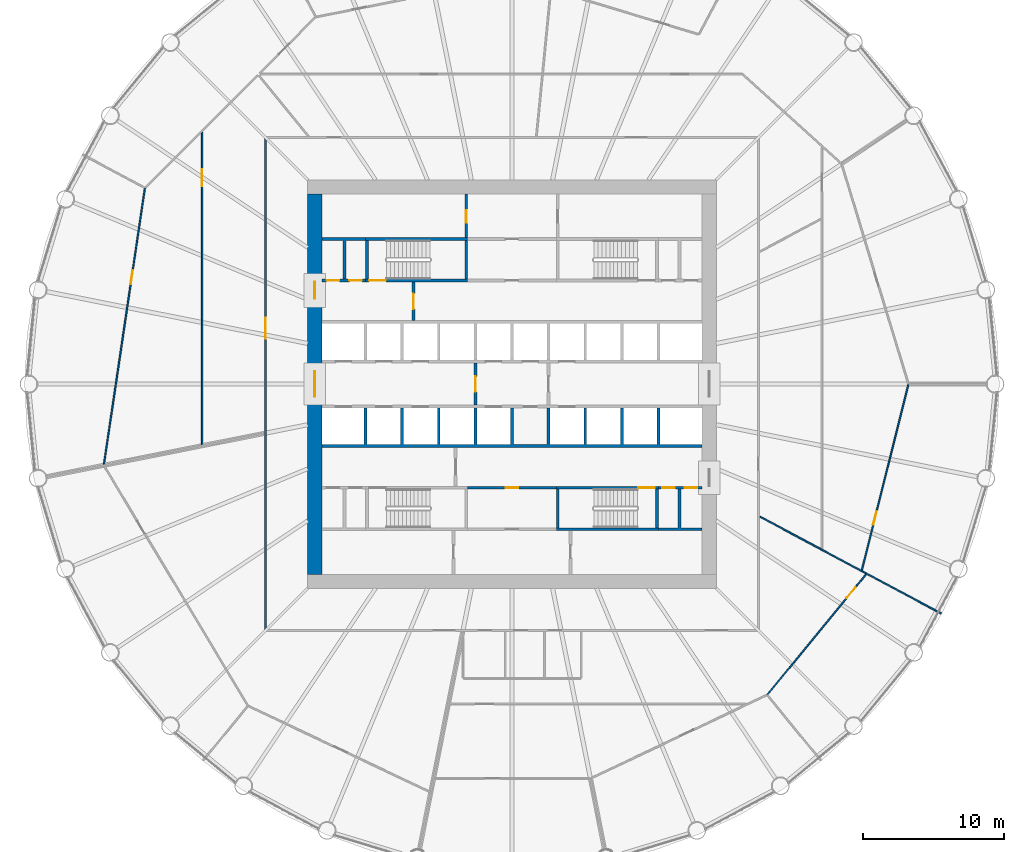
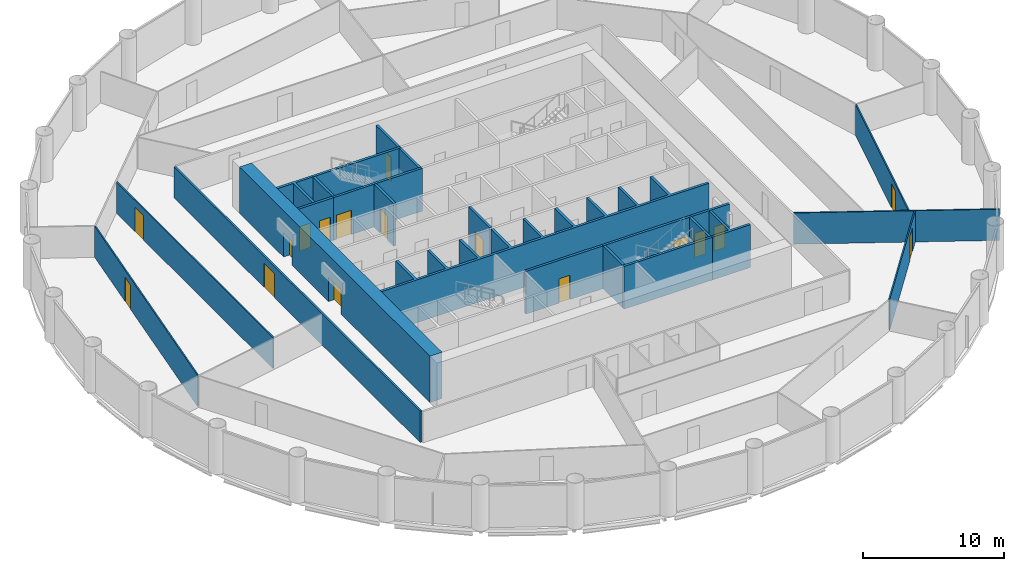
# One storey, part 5 of 8: 24 walls, 17 doors, 17 openings.
"""IFC4 building model written with IfcOpenShell, lengths in metres."""

from ifc_helpers import new_model, si_unit, direction, frame, frame_2d, origin, place, context, subcontext, project, spatial, polyline, rectangle, outline, extrude, material, layer, layer_set, type_object, element, fill, save


model = new_model("IFC4")

# Units and contexts
model_context = context("Model", 3, precision=1e-05, world=origin(), true_north=direction((0.0, 1.0)))
body_context = subcontext(model_context, "Body", "Model", "MODEL_VIEW")
ifc_project = project(units=[si_unit("LENGTHUNIT", "METRE"), si_unit("AREAUNIT", "SQUARE_METRE"), si_unit("VOLUMEUNIT", "CUBIC_METRE"), si_unit("PLANEANGLEUNIT", "RADIAN"), si_unit("MASSUNIT", "GRAM", prefix="KILO")], contexts=[model_context])

# Site, building, storey
site_placement = place(None, origin())
site = spatial("IfcSite", under=ifc_project, at=site_placement, CompositionType="ELEMENT")
building_placement = place(site_placement, origin())
building = spatial("IfcBuilding", under=site, at=building_placement, Name="Corvane Civic Tower", CompositionType="ELEMENT")
storey_placement = place(building_placement, frame((0.0, 0.0, 126.5)))
storey = spatial("IfcBuildingStorey", under=building, at=storey_placement, Name="L29", CompositionType="ELEMENT", Elevation=126.5)

# Wall, openings, doors
ifc_material_1 = material(Name="Concrete C70/85", Category="concrete")
ifc_layer_1 = layer(ifc_material_1, 1.0)
ifc_layer_set_1 = layer_set([ifc_layer_1], Name="Concrete C70/85")
wall_type_1 = type_object("IfcWallType", Name="CORE WALL 1000 C70/85", PredefinedType="SHEAR", material=ifc_layer_set_1)
wall_1_placement = place(storey_placement, frame((-14.0, -13.5, 0.0), z_axis=(0.0, 0.0, 1.0), x_axis=(0.0, 1.0, 0.0)))
wall_1 = element("IfcWall", 1, at=wall_1_placement, inside=storey, type_object=wall_type_1, Name="W-L29-core-W", PredefinedType="SHEAR", context=body_context, shape_type="SweptSolid", body=[
    extrude(rectangle(XDim=27.0, YDim=1.0, at=frame_2d((13.5, 0.0))), origin(), (0.0, 0.0, 1.0), 4.0),
])
opening_1_placement = place(wall_1_placement, frame((12.60009765625, 0.0, 0.0)))
opening_1 = element("IfcOpeningElement", 2, at=opening_1_placement, cuts=wall_1, Name="Opening L29.C26", PredefinedType="OPENING", context=body_context, shape_type="SweptSolid", body=[
    extrude(rectangle(XDim=1.800048828125, YDim=2.10009765625, at=frame_2d((0.89990234375, 1.050048828125))), frame((0.0, 0.510009765625, 0.0), z_axis=(0.0, -1.0, 0.0), x_axis=(1.0, 0.0, 0.0)), (0.0, 0.0, 1.0), 1.02001953125),
])
opening_2_placement = place(wall_1_placement, frame((19.550048828125, 0.0, 0.0)))
opening_2 = element("IfcOpeningElement", 3, at=opening_2_placement, cuts=wall_1, Name="Opening L29.C28", PredefinedType="OPENING", context=body_context, shape_type="SweptSolid", body=[
    extrude(rectangle(XDim=1.199951171875, YDim=2.10009765625, at=frame_2d((0.60009765625, 1.050048828125))), frame((0.0, 0.510009765625, 0.0), z_axis=(0.0, -1.0, 0.0), x_axis=(1.0, 0.0, 0.0)), (0.0, 0.0, 1.0), 1.02001953125),
])
ifc_material_2 = material(Name="Steel fire door leaf", Category="steel")
door_type_1 = type_object("IfcDoorType", Name="CR-DOOR-CORE-1800", OperationType="DOUBLE_DOOR_SINGLE_SWING", PredefinedType="DOOR", material=ifc_material_2)
door_1_placement = place(opening_1_placement, origin())
door_1 = element("IfcDoor", 4, at=door_1_placement, inside=storey, type_object=door_type_1, Name="L29 door", OperationType="DOUBLE_DOOR_SINGLE_SWING", OverallHeight=2.10009765625, OverallWidth=1.800048828125, PredefinedType="DOOR", context=body_context, shape_type="SweptSolid", body=[
    extrude(rectangle(XDim=1.800048828125, YDim=2.10009765625, at=frame_2d((0.89990234375, 1.050048828125))), frame((0.0, 0.02490234375, 0.0), z_axis=(0.0, -1.0, 0.0), x_axis=(1.0, 0.0, 0.0)), (0.0, 0.0, 1.0), 0.050048828125),
])
fill(opening_1, door_1)
door_2_placement = place(opening_2_placement, origin())
door_2 = element("IfcDoor", 5, at=door_2_placement, inside=storey, type_object=door_type_1, Name="L29 door", OperationType="DOUBLE_DOOR_SINGLE_SWING", OverallHeight=2.10009765625, OverallWidth=1.199951171875, PredefinedType="DOOR", context=body_context, shape_type="SweptSolid", body=[
    extrude(rectangle(XDim=1.199951171875, YDim=2.10009765625, at=frame_2d((0.60009765625, 1.050048828125))), frame((0.0, 0.02490234375, 0.0), z_axis=(0.0, -1.0, 0.0), x_axis=(1.0, 0.0, 0.0)), (0.0, 0.0, 1.0), 0.050048828125),
])
fill(opening_2, door_2)

# Wall, opening, door
ifc_material_3 = material(Name="Concrete C30/37", Category="concrete")
ifc_layer_2 = layer(ifc_material_3, 0.199951171875)
ifc_layer_set_2 = layer_set([ifc_layer_2], Name="Concrete C30/37")
wall_type_2 = type_object("IfcWallType", Name="CR-WALL-200", PredefinedType="PARTITIONING", material=ifc_layer_set_2)
wall_2_placement = place(storey_placement, frame((-3.14990234375, -7.35009765625, 0.0), z_axis=(0.0, 0.0, 1.0), x_axis=(1.0, 0.0, 0.0)))
wall_2 = element("IfcWall", 6, at=wall_2_placement, inside=storey, type_object=wall_type_2, Name="L29 core partition wall", PredefinedType="PARTITIONING", context=body_context, shape_type="SweptSolid", body=[
    extrude(rectangle(XDim=6.2998046875, YDim=0.199951171875, at=frame_2d((3.14990234375, 0.0))), origin(), (0.0, 0.0, 1.0), 3.699951171875),
])
opening_3_placement = place(wall_2_placement, frame((2.699951171875, 0.0, 0.0)))
opening_3 = element("IfcOpeningElement", 7, at=opening_3_placement, cuts=wall_2, Name="Opening L29.C03", PredefinedType="OPENING", context=body_context, shape_type="SweptSolid", body=[
    extrude(rectangle(XDim=0.89990234375, YDim=2.10009765625, at=frame_2d((0.449951171875, 1.050048828125))), frame((0.0, 0.10986328125, 0.0), z_axis=(0.0, -1.0, 0.0), x_axis=(1.0, 0.0, 0.0)), (0.0, 0.0, 1.0), 0.219970703125),
])
ifc_material_4 = material(Name="Steel fire door leaf", Category="steel")
door_type_2 = type_object("IfcDoorType", Name="CR-DOOR-900", OperationType="SINGLE_SWING_LEFT", PredefinedType="DOOR", material=ifc_material_4)
door_3_placement = place(opening_3_placement, origin())
door_3 = element("IfcDoor", 8, at=door_3_placement, inside=storey, type_object=door_type_2, Name="L29 door", OperationType="SINGLE_SWING_LEFT", OverallHeight=2.10009765625, OverallWidth=0.89990234375, PredefinedType="DOOR", context=body_context, shape_type="SweptSolid", body=[
    extrude(rectangle(XDim=0.89990234375, YDim=2.10009765625, at=frame_2d((0.449951171875, 1.050048828125))), frame((0.0, 0.02490234375, 0.0), z_axis=(0.0, -1.0, 0.0), x_axis=(1.0, 0.0, 0.0)), (0.0, 0.0, 1.0), 0.050048828125),
])
fill(opening_3, door_3)

# Wall, openings, doors
wall_3_placement = place(storey_placement, frame((10.39990234375, -7.35009765625, 0.0), z_axis=(0.0, 0.0, 1.0), x_axis=(1.0, 0.0, 0.0)))
wall_3 = element("IfcWall", 9, at=wall_3_placement, inside=storey, type_object=wall_type_2, Name="L29 core partition wall", PredefinedType="PARTITIONING", context=body_context, shape_type="SweptSolid", body=[
    extrude(rectangle(XDim=3.10009765625, YDim=0.199951171875, at=frame_2d((1.550048828125, 0.0))), origin(), (0.0, 0.0, 1.0), 3.699951171875),
])
opening_4_placement = place(wall_3_placement, frame((0.25, 0.0, 0.0)))
opening_4 = element("IfcOpeningElement", 10, at=opening_4_placement, cuts=wall_3, Name="Opening L29.C16", PredefinedType="OPENING", context=body_context, shape_type="SweptSolid", body=[
    extrude(rectangle(XDim=0.89990234375, YDim=2.10009765625, at=frame_2d((0.449951171875, 1.050048828125))), frame((0.0, 0.10986328125, 0.0), z_axis=(0.0, -1.0, 0.0), x_axis=(1.0, 0.0, 0.0)), (0.0, 0.0, 1.0), 0.219970703125),
])
opening_5_placement = place(wall_3_placement, frame((1.85009765625, 0.0, 0.0)))
opening_5 = element("IfcOpeningElement", 11, at=opening_5_placement, cuts=wall_3, Name="Opening L29.C17", PredefinedType="OPENING", context=body_context, shape_type="SweptSolid", body=[
    extrude(rectangle(XDim=0.89990234375, YDim=2.10009765625, at=frame_2d((0.449951171875, 1.050048828125))), frame((0.0, 0.10986328125, 0.0), z_axis=(0.0, -1.0, 0.0), x_axis=(1.0, 0.0, 0.0)), (0.0, 0.0, 1.0), 0.219970703125),
])
door_4_placement = place(opening_4_placement, origin())
door_4 = element("IfcDoor", 12, at=door_4_placement, inside=storey, type_object=door_type_2, Name="L29 door", OperationType="SINGLE_SWING_LEFT", OverallHeight=2.10009765625, OverallWidth=0.89990234375, PredefinedType="DOOR", context=body_context, shape_type="SweptSolid", body=[
    extrude(rectangle(XDim=0.89990234375, YDim=2.10009765625, at=frame_2d((0.449951171875, 1.050048828125))), frame((0.0, 0.02490234375, 0.0), z_axis=(0.0, -1.0, 0.0), x_axis=(1.0, 0.0, 0.0)), (0.0, 0.0, 1.0), 0.050048828125),
])
fill(opening_4, door_4)
door_5_placement = place(opening_5_placement, origin())
door_5 = element("IfcDoor", 13, at=door_5_placement, inside=storey, type_object=door_type_2, Name="L29 door", OperationType="SINGLE_SWING_LEFT", OverallHeight=2.10009765625, OverallWidth=0.89990234375, PredefinedType="DOOR", context=body_context, shape_type="SweptSolid", body=[
    extrude(rectangle(XDim=0.89990234375, YDim=2.10009765625, at=frame_2d((0.449951171875, 1.050048828125))), frame((0.0, 0.02490234375, 0.0), z_axis=(0.0, -1.0, 0.0), x_axis=(1.0, 0.0, 0.0)), (0.0, 0.0, 1.0), 0.050048828125),
])
fill(opening_5, door_5)

wall_4_placement = place(storey_placement, frame((-13.5, 7.35009765625, 0.0), z_axis=(0.0, 0.0, 1.0), x_axis=(1.0, 0.0, 0.0)))
wall_4 = element("IfcWall", 14, at=wall_4_placement, inside=storey, type_object=wall_type_2, Name="L29 core partition wall", PredefinedType="PARTITIONING", context=body_context, shape_type="SweptSolid", body=[
    extrude(rectangle(XDim=3.10009765625, YDim=0.199951171875, at=frame_2d((1.550048828125, 0.0))), origin(), (0.0, 0.0, 1.0), 3.699951171875),
])
opening_6_placement = place(wall_4_placement, frame((0.35009765625, 0.0, 0.0)))
opening_6 = element("IfcOpeningElement", 15, at=opening_6_placement, cuts=wall_4, Name="Opening L29.C10", PredefinedType="OPENING", context=body_context, shape_type="SweptSolid", body=[
    extrude(rectangle(XDim=0.89990234375, YDim=2.10009765625, at=frame_2d((0.449951171875, 1.050048828125))), frame((0.0, 0.10986328125, 0.0), z_axis=(0.0, -1.0, 0.0), x_axis=(1.0, 0.0, 0.0)), (0.0, 0.0, 1.0), 0.219970703125),
])
opening_7_placement = place(wall_4_placement, frame((1.949951171875, 0.0, 0.0)))
opening_7 = element("IfcOpeningElement", 16, at=opening_7_placement, cuts=wall_4, Name="Opening L29.C11", PredefinedType="OPENING", context=body_context, shape_type="SweptSolid", body=[
    extrude(rectangle(XDim=0.89990234375, YDim=2.10009765625, at=frame_2d((0.449951171875, 1.050048828125))), frame((0.0, 0.10986328125, 0.0), z_axis=(0.0, -1.0, 0.0), x_axis=(1.0, 0.0, 0.0)), (0.0, 0.0, 1.0), 0.219970703125),
])
door_6_placement = place(opening_6_placement, origin())
door_6 = element("IfcDoor", 17, at=door_6_placement, inside=storey, type_object=door_type_2, Name="L29 door", OperationType="SINGLE_SWING_LEFT", OverallHeight=2.10009765625, OverallWidth=0.89990234375, PredefinedType="DOOR", context=body_context, shape_type="SweptSolid", body=[
    extrude(rectangle(XDim=0.89990234375, YDim=2.10009765625, at=frame_2d((0.449951171875, 1.050048828125))), frame((0.0, 0.02490234375, 0.0), z_axis=(0.0, -1.0, 0.0), x_axis=(1.0, 0.0, 0.0)), (0.0, 0.0, 1.0), 0.050048828125),
])
fill(opening_6, door_6)
door_7_placement = place(opening_7_placement, origin())
door_7 = element("IfcDoor", 18, at=door_7_placement, inside=storey, type_object=door_type_2, Name="L29 door", OperationType="SINGLE_SWING_LEFT", OverallHeight=2.10009765625, OverallWidth=0.89990234375, PredefinedType="DOOR", context=body_context, shape_type="SweptSolid", body=[
    extrude(rectangle(XDim=0.89990234375, YDim=2.10009765625, at=frame_2d((0.449951171875, 1.050048828125))), frame((0.0, 0.02490234375, 0.0), z_axis=(0.0, -1.0, 0.0), x_axis=(1.0, 0.0, 0.0)), (0.0, 0.0, 1.0), 0.050048828125),
])
fill(opening_7, door_7)

# Wall, opening, door
wall_5_placement = place(storey_placement, frame((-7.0, 4.5, 0.0), z_axis=(0.0, 0.0, 1.0), x_axis=(0.0, 1.0, 0.0)))
wall_5 = element("IfcWall", 19, at=wall_5_placement, inside=storey, type_object=wall_type_2, Name="L29 core partition wall", PredefinedType="PARTITIONING", context=body_context, shape_type="SweptSolid", body=[
    extrude(rectangle(XDim=2.75, YDim=0.199951171875, at=frame_2d((1.375, 0.0))), origin(), (0.0, 0.0, 1.0), 3.699951171875),
])
opening_8_placement = place(wall_5_placement, frame((0.824951171875, 0.0, 0.0)))
opening_8 = element("IfcOpeningElement", 20, at=opening_8_placement, cuts=wall_5, Name="Opening L29.C24", PredefinedType="OPENING", context=body_context, shape_type="SweptSolid", body=[
    extrude(rectangle(XDim=1.10009765625, YDim=2.10009765625, at=frame_2d((0.550048828125, 1.050048828125))), frame((0.0, 0.10986328125, 0.0), z_axis=(0.0, -1.0, 0.0), x_axis=(1.0, 0.0, 0.0)), (0.0, 0.0, 1.0), 0.219970703125),
])
ifc_material_5 = material(Name="Steel fire door leaf", Category="steel")
door_type_3 = type_object("IfcDoorType", Name="CR-DOOR-FFL-1100", OperationType="SINGLE_SWING_LEFT", PredefinedType="DOOR", material=ifc_material_5)
door_8_placement = place(opening_8_placement, origin())
door_8 = element("IfcDoor", 21, at=door_8_placement, inside=storey, type_object=door_type_3, Name="L29 lobby door", OperationType="SINGLE_SWING_LEFT", OverallHeight=2.10009765625, OverallWidth=1.10009765625, PredefinedType="DOOR", context=body_context, shape_type="SweptSolid", body=[
    extrude(rectangle(XDim=1.10009765625, YDim=2.10009765625, at=frame_2d((0.550048828125, 1.050048828125))), frame((0.0, 0.02490234375, 0.0), z_axis=(0.0, -1.0, 0.0), x_axis=(1.0, 0.0, 0.0)), (0.0, 0.0, 1.0), 0.050048828125),
])
fill(opening_8, door_8)

wall_6_placement = place(storey_placement, frame((-3.25, 10.39990234375, 0.0), z_axis=(0.0, 0.0, 1.0), x_axis=(0.0, 1.0, 0.0)))
wall_6 = element("IfcWall", 22, at=wall_6_placement, inside=storey, type_object=wall_type_2, Name="L29 partition wall", PredefinedType="PARTITIONING", context=body_context, shape_type="SweptSolid", body=[
    extrude(rectangle(XDim=3.10009765625, YDim=0.199951171875, at=frame_2d((1.550048828125, 0.0))), origin(), (0.0, 0.0, 1.0), 3.699951171875),
])
opening_9_placement = place(wall_6_placement, frame((1.050048828125, 0.0, 0.0)))
opening_9 = element("IfcOpeningElement", 23, at=opening_9_placement, cuts=wall_6, Name="Opening L29.C04", PredefinedType="OPENING", context=body_context, shape_type="SweptSolid", body=[
    extrude(rectangle(XDim=0.89990234375, YDim=2.10009765625, at=frame_2d((0.449951171875, 1.050048828125))), frame((0.0, 0.10986328125, 0.0), z_axis=(0.0, -1.0, 0.0), x_axis=(1.0, 0.0, 0.0)), (0.0, 0.0, 1.0), 0.219970703125),
])
door_9_placement = place(opening_9_placement, origin())
door_9 = element("IfcDoor", 24, at=door_9_placement, inside=storey, type_object=door_type_2, Name="L29 door", OperationType="SINGLE_SWING_LEFT", OverallHeight=2.10009765625, OverallWidth=0.89990234375, PredefinedType="DOOR", context=body_context, shape_type="SweptSolid", body=[
    extrude(rectangle(XDim=0.89990234375, YDim=2.10009765625, at=frame_2d((0.449951171875, 1.050048828125))), frame((0.0, 0.02490234375, 0.0), z_axis=(0.0, -1.0, 0.0), x_axis=(1.0, 0.0, 0.0)), (0.0, 0.0, 1.0), 0.050048828125),
])
fill(opening_9, door_9)

wall_7_placement = place(storey_placement, frame((-2.60009765625, -1.5, 0.0), z_axis=(0.0, 0.0, 1.0), x_axis=(0.0, 1.0, 0.0)))
wall_7 = element("IfcWall", 25, at=wall_7_placement, inside=storey, type_object=wall_type_2, Name="L29 firefighting lobby wall", PredefinedType="PARTITIONING", context=body_context, shape_type="SweptSolid", body=[
    extrude(rectangle(XDim=3.0, YDim=0.199951171875, at=frame_2d((1.5, 0.0))), origin(), (0.0, 0.0, 1.0), 3.699951171875),
])
opening_10_placement = place(wall_7_placement, frame((0.949951171875, 0.0, 0.0)))
opening_10 = element("IfcOpeningElement", 26, at=opening_10_placement, cuts=wall_7, Name="Opening L29.C22", PredefinedType="OPENING", context=body_context, shape_type="SweptSolid", body=[
    extrude(rectangle(XDim=1.10009765625, YDim=2.10009765625, at=frame_2d((0.550048828125, 1.050048828125))), frame((0.0, 0.10986328125, 0.0), z_axis=(0.0, -1.0, 0.0), x_axis=(1.0, 0.0, 0.0)), (0.0, 0.0, 1.0), 0.219970703125),
])
door_10_placement = place(opening_10_placement, origin())
door_10 = element("IfcDoor", 27, at=door_10_placement, inside=storey, type_object=door_type_3, Name="L29 lobby door", OperationType="SINGLE_SWING_LEFT", OverallHeight=2.10009765625, OverallWidth=1.10009765625, PredefinedType="DOOR", context=body_context, shape_type="SweptSolid", body=[
    extrude(rectangle(XDim=1.10009765625, YDim=2.10009765625, at=frame_2d((0.550048828125, 1.050048828125))), frame((0.0, 0.02490234375, 0.0), z_axis=(0.0, -1.0, 0.0), x_axis=(1.0, 0.0, 0.0)), (0.0, 0.0, 1.0), 0.050048828125),
])
fill(opening_10, door_10)

# Walls
wall_8_placement = place(storey_placement, origin())
element("IfcWall", 28, at=wall_8_placement, inside=storey, type_object=wall_type_2, Name="L29 core partition wall", PredefinedType="PARTITIONING", context=body_context, shape_type="SweptSolid", body=[
    extrude(outline(polyline([(-13.5, 10.39990234375), (-10.39990234375, 10.39990234375), (-10.39990234375, 10.199951171875), (-11.800048828125, 10.199951171875), (-11.800048828125, 7.449951171875), (-12.0, 7.449951171875), (-12.0, 10.199951171875), (-13.5, 10.199951171875), (-13.5, 10.39990234375)])), origin(), (0.0, 0.0, 1.0), 3.699951171875),
])
wall_9_placement = place(storey_placement, origin())
element("IfcWall", 29, at=wall_9_placement, inside=storey, type_object=wall_type_2, Name="L29 core partition wall", PredefinedType="PARTITIONING", context=body_context, shape_type="SweptSolid", body=[
    extrude(outline(polyline([(-10.300048828125, -1.699951171875), (-10.300048828125, -4.300048828125), (-7.89990234375, -4.300048828125), (-7.89990234375, -1.699951171875), (-7.699951171875, -1.699951171875), (-7.699951171875, -4.300048828125), (-5.300048828125, -4.300048828125), (-5.300048828125, -1.699951171875), (-5.10009765625, -1.699951171875), (-5.10009765625, -4.300048828125), (-2.699951171875, -4.300048828125), (-2.699951171875, -1.699951171875), (-2.5, -1.699951171875), (-2.5, -4.300048828125), (-0.10009765625, -4.300048828125), (-0.10009765625, -1.699951171875), (0.10009765625, -1.699951171875), (0.10009765625, -4.300048828125), (2.5, -4.300048828125), (2.5, -1.699951171875), (2.699951171875, -1.699951171875), (2.699951171875, -4.300048828125), (5.10009765625, -4.300048828125), (5.10009765625, -1.699951171875), (5.300048828125, -1.699951171875), (5.300048828125, -4.300048828125), (7.699951171875, -4.300048828125), (7.699951171875, -1.699951171875), (7.89990234375, -1.699951171875), (7.89990234375, -4.300048828125), (10.300048828125, -4.300048828125), (10.300048828125, -1.699951171875), (10.5, -1.699951171875), (10.5, -4.300048828125), (13.5, -4.300048828125), (13.5, -4.5), (-13.5, -4.5), (-13.5, -4.300048828125), (-10.5, -4.300048828125), (-10.5, -1.699951171875), (-10.300048828125, -1.699951171875)])), origin(), (0.0, 0.0, 1.0), 3.699951171875),
])
wall_10_placement = place(storey_placement, origin())
element("IfcWall", 30, at=wall_10_placement, inside=storey, type_object=wall_type_2, Name="L29 core partition wall", PredefinedType="PARTITIONING", context=body_context, shape_type="SweptSolid", body=[
    extrude(outline(polyline([(11.800048828125, -7.449951171875), (12.0, -7.449951171875), (12.0, -10.199951171875), (13.5, -10.199951171875), (13.5, -10.39990234375), (10.39990234375, -10.39990234375), (10.39990234375, -10.199951171875), (11.800048828125, -10.199951171875), (11.800048828125, -7.449951171875)])), origin(), (0.0, 0.0, 1.0), 3.699951171875),
])

# Wall, opening, door
ifc_material_6 = material(Name="Plasterboard")
ifc_layer_3 = layer(ifc_material_6, 0.10009765625)
ifc_layer_set_3 = layer_set([ifc_layer_3], Name="Plasterboard")
wall_type_3 = type_object("IfcWallType", Name="Partition 100 plasterboard on studs", PredefinedType="PARTITIONING", material=ifc_layer_set_3)
wall_11_placement = place(storey_placement, frame((18.133544921875, -22.032470703125, 0.0), z_axis=(0.0, 0.0, 1.0), x_axis=(0.634386449962, 0.773016061996, 0.0)))
wall_11 = element("IfcWall", 31, at=wall_11_placement, inside=storey, type_object=wall_type_3, Name="Partition L29.010", PredefinedType="PARTITIONING", context=body_context, shape_type="SweptSolid", body=[
    extrude(rectangle(XDim=11.03515625, YDim=0.10009765625, at=frame_2d((5.517578125, 0.0))), origin(), (0.0, 0.0, 1.0), 2.699951171875),
])
opening_11_placement = place(wall_11_placement, frame((8.84228515625, 0.0, 0.0)))
opening_11 = element("IfcOpeningElement", 32, at=opening_11_placement, cuts=wall_11, Name="Opening L29.018", PredefinedType="OPENING", context=body_context, shape_type="SweptSolid", body=[
    extrude(rectangle(XDim=1.0, YDim=2.10009765625, at=frame_2d((0.5, 1.050048828125))), frame((0.0, 0.06005859375, 0.0), z_axis=(0.0, -1.0, 0.0), x_axis=(1.0, 0.0, 0.0)), (0.0, 0.0, 1.0), 0.1201171875),
])
ifc_material_7 = material(Name="Timber", Category="wood")
door_type_4 = type_object("IfcDoorType", Name="Single door 1000", OperationType="NOTDEFINED", PredefinedType="DOOR", material=ifc_material_7)
door_11_placement = place(opening_11_placement, frame((1.0, 0.0, 0.0), z_axis=(0.0, 0.0, 1.0), x_axis=(-1.0, 0.0, 0.0)))
door_11 = element("IfcDoor", 33, at=door_11_placement, inside=storey, type_object=door_type_4, Name="Door L29.018", OperationType="SINGLE_SWING_RIGHT", OverallHeight=2.10009765625, OverallWidth=1.0, PredefinedType="DOOR", context=body_context, shape_type="SweptSolid", body=[
    extrude(rectangle(XDim=1.0, YDim=2.10009765625, at=frame_2d((0.5, 1.050048828125))), frame((0.0, 0.02490234375, 0.0), z_axis=(0.0, -1.0, 0.0), x_axis=(1.0, 0.0, 0.0)), (0.0, 0.0, 1.0), 0.050048828125),
])
fill(opening_11, door_11)

# Wall
wall_12_placement = place(storey_placement, frame((17.5986328125, -9.406494140625, 0.0), z_axis=(0.0, 0.0, 1.0), x_axis=(0.881914523069, -0.471409348655, 0.0)))
element("IfcWall", 34, at=wall_12_placement, inside=storey, type_object=wall_type_3, Name="Partition L29.019", PredefinedType="PARTITIONING", context=body_context, shape_type="SweptSolid", body=[
    extrude(rectangle(XDim=14.59521484375, YDim=0.10009765625, at=frame_2d((7.297607421875, 0.0))), origin(), (0.0, 0.0, 1.0), 2.699951171875),
])

# Wall, opening, door
wall_13_placement = place(storey_placement, frame((24.8349609375, -13.2041015625, 0.0), z_axis=(0.0, 0.0, 1.0), x_axis=(0.242988451645, 0.970029181194, 0.0)))
wall_13 = element("IfcWall", 35, at=wall_13_placement, inside=storey, type_object=wall_type_3, Name="Partition L29.020", PredefinedType="PARTITIONING", context=body_context, shape_type="SweptSolid", body=[
    extrude(rectangle(XDim=13.572998046875, YDim=0.10009765625, at=frame_2d((6.78662109375, 0.0))), origin(), (0.0, 0.0, 1.0), 2.699951171875),
])
opening_12_placement = place(wall_13_placement, frame((3.315185546875, 0.0, 0.0)))
opening_12 = element("IfcOpeningElement", 36, at=opening_12_placement, cuts=wall_13, Name="Opening L29.013", PredefinedType="OPENING", context=body_context, shape_type="SweptSolid", body=[
    extrude(rectangle(XDim=1.0, YDim=2.10009765625, at=frame_2d((0.5, 1.050048828125))), frame((0.0, 0.06005859375, 0.0), z_axis=(0.0, -1.0, 0.0), x_axis=(1.0, 0.0, 0.0)), (0.0, 0.0, 1.0), 0.1201171875),
])
door_12_placement = place(opening_12_placement, frame((1.0, 0.0, 0.0), z_axis=(0.0, 0.0, 1.0), x_axis=(-1.0, 0.0, 0.0)))
door_12 = element("IfcDoor", 37, at=door_12_placement, inside=storey, type_object=door_type_4, Name="Door L29.013", OperationType="SINGLE_SWING_LEFT", OverallHeight=2.10009765625, OverallWidth=1.0, PredefinedType="DOOR", context=body_context, shape_type="SweptSolid", body=[
    extrude(rectangle(XDim=1.0, YDim=2.10009765625, at=frame_2d((0.5, 1.050048828125))), frame((0.0, 0.02490234375, 0.0), z_axis=(0.0, -1.0, 0.0), x_axis=(1.0, 0.0, 0.0)), (0.0, 0.0, 1.0), 0.050048828125),
])
fill(opening_12, door_12)

wall_14_placement = place(storey_placement, frame((-28.966064453125, -5.693603515625, 0.0), z_axis=(0.0, 0.0, 1.0), x_axis=(0.146730982045, 0.989176434671, 0.0)))
wall_14 = element("IfcWall", 38, at=wall_14_placement, inside=storey, type_object=wall_type_3, Name="Partition L29.023", PredefinedType="PARTITIONING", context=body_context, shape_type="SweptSolid", body=[
    extrude(rectangle(XDim=19.800048828125, YDim=0.10009765625, at=frame_2d((9.89990234375, 0.0))), origin(), (0.0, 0.0, 1.0), 2.699951171875),
])
opening_13_placement = place(wall_14_placement, frame((12.93359375, 0.0, 0.0)))
opening_13 = element("IfcOpeningElement", 39, at=opening_13_placement, cuts=wall_14, Name="Opening L29.004", PredefinedType="OPENING", context=body_context, shape_type="SweptSolid", body=[
    extrude(rectangle(XDim=1.0, YDim=2.10009765625, at=frame_2d((0.5, 1.050048828125))), frame((0.0, 0.06005859375, 0.0), z_axis=(0.0, -1.0, 0.0), x_axis=(1.0, 0.0, 0.0)), (0.0, 0.0, 1.0), 0.1201171875),
])
door_13_placement = place(opening_13_placement, origin())
door_13 = element("IfcDoor", 40, at=door_13_placement, inside=storey, type_object=door_type_4, Name="Door L29.004", OperationType="SINGLE_SWING_LEFT", OverallHeight=2.10009765625, OverallWidth=1.0, PredefinedType="DOOR", context=body_context, shape_type="SweptSolid", body=[
    extrude(rectangle(XDim=1.0, YDim=2.10009765625, at=frame_2d((0.5, 1.050048828125))), frame((0.0, 0.02490234375, 0.0), z_axis=(0.0, -1.0, 0.0), x_axis=(1.0, 0.0, 0.0)), (0.0, 0.0, 1.0), 0.050048828125),
])
fill(opening_13, door_13)

wall_15_placement = place(storey_placement, frame((-22.0, -4.315185546875, 0.0), z_axis=(0.0, 0.0, 1.0), x_axis=(0.0, 1.0, 0.0)))
wall_15 = element("IfcWall", 41, at=wall_15_placement, inside=storey, type_object=wall_type_3, Name="Partition L29.024", PredefinedType="PARTITIONING", context=body_context, shape_type="SweptSolid", body=[
    extrude(rectangle(XDim=22.177001953125, YDim=0.10009765625, at=frame_2d((11.08837890625, 0.0))), origin(), (0.0, 0.0, 1.0), 2.699951171875),
])
opening_14_placement = place(wall_15_placement, frame((18.351318359375, 0.0, 0.0)))
opening_14 = element("IfcOpeningElement", 42, at=opening_14_placement, cuts=wall_15, Name="Opening L29.007", PredefinedType="OPENING", context=body_context, shape_type="SweptSolid", body=[
    extrude(rectangle(XDim=1.199951171875, YDim=2.10009765625, at=frame_2d((0.60009765625, 1.050048828125))), frame((0.0, 0.06005859375, 0.0), z_axis=(0.0, -1.0, 0.0), x_axis=(1.0, 0.0, 0.0)), (0.0, 0.0, 1.0), 0.1201171875),
])
ifc_material_8 = material(Name="Timber", Category="wood")
door_type_5 = type_object("IfcDoorType", Name="Double door 1200", OperationType="NOTDEFINED", PredefinedType="DOOR", material=ifc_material_8)
door_14_placement = place(opening_14_placement, origin())
door_14 = element("IfcDoor", 43, at=door_14_placement, inside=storey, type_object=door_type_5, Name="Door L29.007", OperationType="DOUBLE_DOOR_SINGLE_SWING", OverallHeight=2.10009765625, OverallWidth=1.199951171875, PredefinedType="DOOR", context=body_context, shape_type="SweptSolid", body=[
    extrude(rectangle(XDim=1.199951171875, YDim=2.10009765625, at=frame_2d((0.60009765625, 1.050048828125))), frame((0.0, 0.02490234375, 0.0), z_axis=(0.0, -1.0, 0.0), x_axis=(1.0, 0.0, 0.0)), (0.0, 0.0, 1.0), 0.050048828125),
])
fill(opening_14, door_14)

ifc_material_9 = material(Name="Concrete C50/60", Category="concrete")
ifc_layer_4 = layer(ifc_material_9, 0.199951171875)
ifc_layer_set_4 = layer_set([ifc_layer_4], Name="Concrete C50/60")
wall_type_4 = type_object("IfcWallType", Name="ST-WALL-200", PredefinedType="SHEAR", material=ifc_layer_set_4)
wall_16_placement = place(storey_placement, frame((3.14990234375, -7.35009765625, 0.0), z_axis=(0.0, 0.0, 1.0), x_axis=(1.0, 0.0, 0.0)))
wall_16 = element("IfcWall", 44, at=wall_16_placement, inside=storey, type_object=wall_type_4, Name="L29 stair enclosure wall", PredefinedType="SHEAR", context=body_context, shape_type="SweptSolid", body=[
    extrude(rectangle(XDim=7.25, YDim=0.199951171875, at=frame_2d((3.625, 0.0))), origin(), (0.0, 0.0, 1.0), 3.699951171875),
])
opening_15_placement = place(wall_16_placement, frame((5.800048828125, 0.0, 0.0)))
opening_15 = element("IfcOpeningElement", 45, at=opening_15_placement, cuts=wall_16, Name="Opening L29.C20", PredefinedType="OPENING", context=body_context, shape_type="SweptSolid", body=[
    extrude(rectangle(XDim=1.199951171875, YDim=2.10009765625, at=frame_2d((0.60009765625, 1.050048828125))), frame((0.0, 0.10986328125, 0.0), z_axis=(0.0, -1.0, 0.0), x_axis=(1.0, 0.0, 0.0)), (0.0, 0.0, 1.0), 0.219970703125),
])
ifc_material_10 = material(Name="Steel fire door leaf", Category="steel")
door_type_6 = type_object("IfcDoorType", Name="ST-DOOR-1200", OperationType="SINGLE_SWING_RIGHT", PredefinedType="DOOR", material=ifc_material_10)
door_15_placement = place(opening_15_placement, origin())
door_15 = element("IfcDoor", 46, at=door_15_placement, inside=storey, type_object=door_type_6, Name="L29 stair door", OperationType="SINGLE_SWING_RIGHT", OverallHeight=2.10009765625, OverallWidth=1.199951171875, PredefinedType="DOOR", context=body_context, shape_type="SweptSolid", body=[
    extrude(rectangle(XDim=1.199951171875, YDim=2.10009765625, at=frame_2d((0.60009765625, 1.050048828125))), frame((0.0, 0.02490234375, 0.0), z_axis=(0.0, -1.0, 0.0), x_axis=(1.0, 0.0, 0.0)), (0.0, 0.0, 1.0), 0.050048828125),
])
fill(opening_15, door_15)

wall_17_placement = place(storey_placement, frame((-10.39990234375, 7.35009765625, 0.0), z_axis=(0.0, 0.0, 1.0), x_axis=(1.0, 0.0, 0.0)))
wall_17 = element("IfcWall", 47, at=wall_17_placement, inside=storey, type_object=wall_type_4, Name="L29 stair enclosure wall", PredefinedType="SHEAR", context=body_context, shape_type="SweptSolid", body=[
    extrude(rectangle(XDim=7.25, YDim=0.199951171875, at=frame_2d((3.625, 0.0))), origin(), (0.0, 0.0, 1.0), 3.699951171875),
])
opening_16_placement = place(wall_17_placement, frame((0.25, 0.0, 0.0)))
opening_16 = element("IfcOpeningElement", 48, at=opening_16_placement, cuts=wall_17, Name="Opening L29.C19", PredefinedType="OPENING", context=body_context, shape_type="SweptSolid", body=[
    extrude(rectangle(XDim=1.199951171875, YDim=2.10009765625, at=frame_2d((0.60009765625, 1.050048828125))), frame((0.0, 0.10986328125, 0.0), z_axis=(0.0, -1.0, 0.0), x_axis=(1.0, 0.0, 0.0)), (0.0, 0.0, 1.0), 0.219970703125),
])
door_16_placement = place(opening_16_placement, origin())
door_16 = element("IfcDoor", 49, at=door_16_placement, inside=storey, type_object=door_type_6, Name="L29 stair door", OperationType="SINGLE_SWING_RIGHT", OverallHeight=2.10009765625, OverallWidth=1.199951171875, PredefinedType="DOOR", context=body_context, shape_type="SweptSolid", body=[
    extrude(rectangle(XDim=1.199951171875, YDim=2.10009765625, at=frame_2d((0.60009765625, 1.050048828125))), frame((0.0, 0.02490234375, 0.0), z_axis=(0.0, -1.0, 0.0), x_axis=(1.0, 0.0, 0.0)), (0.0, 0.0, 1.0), 0.050048828125),
])
fill(opening_16, door_16)

# Walls
wall_18_placement = place(storey_placement, origin())
element("IfcWall", 50, at=wall_18_placement, inside=storey, type_object=wall_type_4, Name="L29 stair enclosure wall", PredefinedType="SHEAR", context=body_context, shape_type="SweptSolid", body=[
    extrude(outline(polyline([(-3.14990234375, 10.199951171875), (-10.39990234375, 10.199951171875), (-10.39990234375, 10.39990234375), (-3.14990234375, 10.39990234375), (-3.14990234375, 10.199951171875)])), origin(), (0.0, 0.0, 1.0), 3.699951171875),
])
wall_19_placement = place(storey_placement, origin())
element("IfcWall", 51, at=wall_19_placement, inside=storey, type_object=wall_type_4, Name="L29 stair enclosure wall", PredefinedType="SHEAR", context=body_context, shape_type="SweptSolid", body=[
    extrude(outline(polyline([(10.39990234375, -10.39990234375), (3.14990234375, -10.39990234375), (3.14990234375, -10.199951171875), (10.39990234375, -10.199951171875), (10.39990234375, -10.39990234375)])), origin(), (0.0, 0.0, 1.0), 3.699951171875),
])
wall_20_placement = place(storey_placement, origin())
element("IfcWall", 52, at=wall_20_placement, inside=storey, type_object=wall_type_4, Name="L29 stair enclosure wall", PredefinedType="SHEAR", context=body_context, shape_type="SweptSolid", body=[
    extrude(outline(polyline([(-3.14990234375, 7.449951171875), (-3.35009765625, 7.449951171875), (-3.35009765625, 10.199951171875), (-3.14990234375, 10.199951171875), (-3.14990234375, 7.449951171875)])), origin(), (0.0, 0.0, 1.0), 3.699951171875),
])
wall_21_placement = place(storey_placement, origin())
element("IfcWall", 53, at=wall_21_placement, inside=storey, type_object=wall_type_4, Name="L29 stair enclosure wall", PredefinedType="SHEAR", context=body_context, shape_type="SweptSolid", body=[
    extrude(outline(polyline([(3.35009765625, -7.449951171875), (3.35009765625, -10.199951171875), (3.14990234375, -10.199951171875), (3.14990234375, -7.449951171875), (3.35009765625, -7.449951171875)])), origin(), (0.0, 0.0, 1.0), 3.699951171875),
])
wall_22_placement = place(storey_placement, origin())
element("IfcWall", 54, at=wall_22_placement, inside=storey, type_object=wall_type_4, Name="L29 stair enclosure wall", PredefinedType="SHEAR", context=body_context, shape_type="SweptSolid", body=[
    extrude(outline(polyline([(-10.199951171875, 7.449951171875), (-10.39990234375, 7.449951171875), (-10.39990234375, 10.199951171875), (-10.199951171875, 10.199951171875), (-10.199951171875, 7.449951171875)])), origin(), (0.0, 0.0, 1.0), 3.699951171875),
])
wall_23_placement = place(storey_placement, origin())
element("IfcWall", 55, at=wall_23_placement, inside=storey, type_object=wall_type_4, Name="L29 stair enclosure wall", PredefinedType="SHEAR", context=body_context, shape_type="SweptSolid", body=[
    extrude(outline(polyline([(10.39990234375, -7.449951171875), (10.39990234375, -10.199951171875), (10.199951171875, -10.199951171875), (10.199951171875, -7.449951171875), (10.39990234375, -7.449951171875)])), origin(), (0.0, 0.0, 1.0), 3.699951171875),
])

# Wall, opening, door
ifc_material_11 = material(Name="Plasterboard")
ifc_layer_5 = layer(ifc_material_11, 0.14990234375)
ifc_layer_set_5 = layer_set([ifc_layer_5], Name="Plasterboard")
wall_type_5 = type_object("IfcWallType", Name="Tenancy wall 150 EI 60", PredefinedType="PARTITIONING", material=ifc_layer_set_5)
wall_24_placement = place(storey_placement, frame((-17.5, -17.425048828125, 0.0), z_axis=(0.0, 0.0, 1.0), x_axis=(0.0, 1.0, 0.0)))
wall_24 = element("IfcWall", 56, at=wall_24_placement, inside=storey, type_object=wall_type_5, Name="Partition L29.017", PredefinedType="PARTITIONING", context=body_context, shape_type="SweptSolid", body=[
    extrude(rectangle(XDim=34.85009765625, YDim=0.14990234375, at=frame_2d((17.425048828125, 0.0))), origin(), (0.0, 0.0, 1.0), 2.699951171875),
])
opening_17_placement = place(wall_24_placement, frame((20.637939453125, 0.0, 0.0)))
opening_17 = element("IfcOpeningElement", 57, at=opening_17_placement, cuts=wall_24, Name="Opening L29.009", PredefinedType="OPENING", context=body_context, shape_type="SweptSolid", body=[
    extrude(rectangle(XDim=1.5, YDim=2.10009765625, at=frame_2d((0.75, 1.050048828125))), frame((0.0, 0.0849609375, 0.0), z_axis=(0.0, -1.0, 0.0), x_axis=(1.0, 0.0, 0.0)), (0.0, 0.0, 1.0), 0.169921875),
])
ifc_material_12 = material(Name="Steel and timber", Category="steel")
door_type_7 = type_object("IfcDoorType", Name="Fire door FD60 double 1500", OperationType="NOTDEFINED", PredefinedType="DOOR", material=ifc_material_12)
door_17_placement = place(opening_17_placement, origin())
door_17 = element("IfcDoor", 58, at=door_17_placement, inside=storey, type_object=door_type_7, Name="Door L29.009", OperationType="DOUBLE_DOOR_SINGLE_SWING", OverallHeight=2.10009765625, OverallWidth=1.5, PredefinedType="DOOR", context=body_context, shape_type="SweptSolid", body=[
    extrude(rectangle(XDim=1.5, YDim=2.10009765625, at=frame_2d((0.75, 1.050048828125))), frame((0.0, 0.02490234375, 0.0), z_axis=(0.0, -1.0, 0.0), x_axis=(1.0, 0.0, 0.0)), (0.0, 0.0, 1.0), 0.050048828125),
])
fill(opening_17, door_17)

save(model, "model.ifc")
